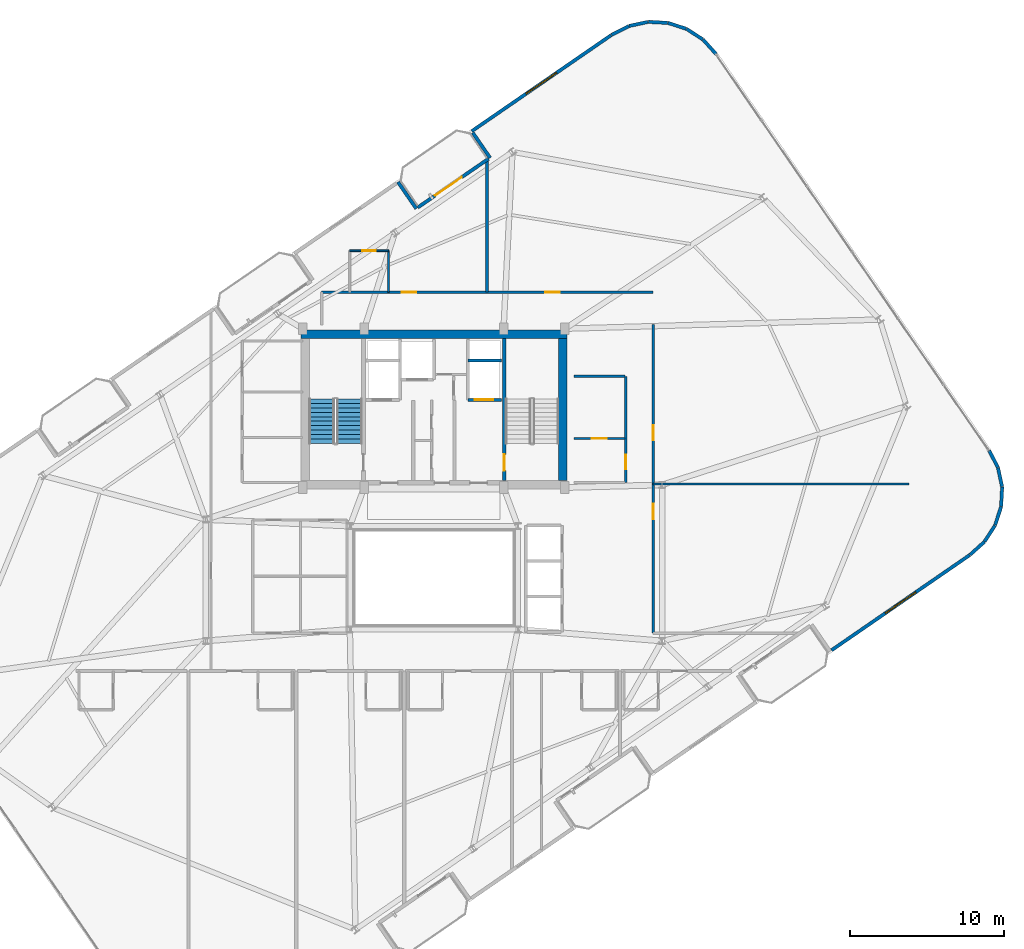
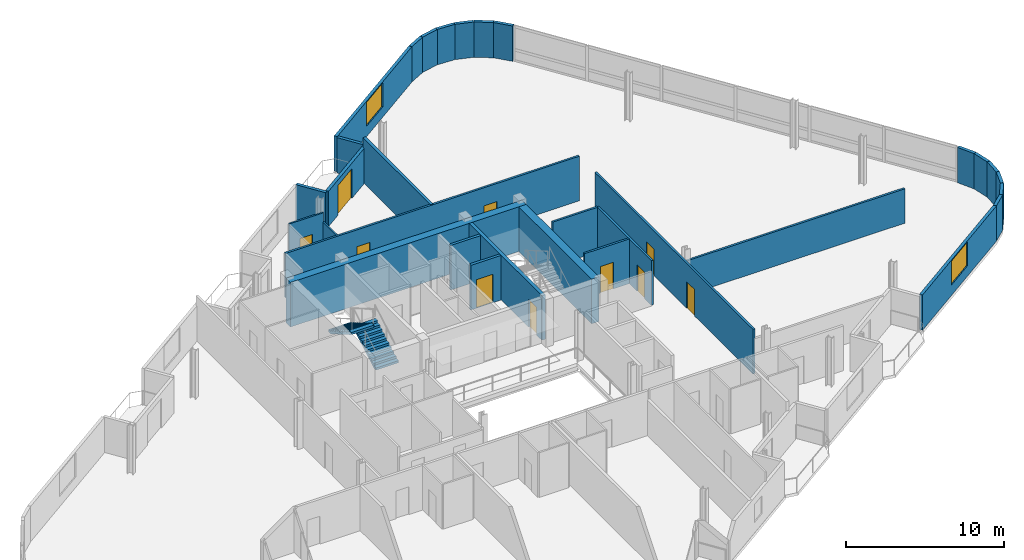
# One storey, part 18 of 22: 31 walls, 10 doors, 2 stair flights, 2 windows, 12 openings, 1 element without a shape of its own.
"""IFC4 building model written with IfcOpenShell, lengths in metres."""

from ifc_helpers import new_model, si_unit, direction, frame, frame_2d, origin, place, context, subcontext, project, spatial, polyline, rectangle, outline, extrude, material, layer, layer_set, type_object, element, fill, aggregate, save


model = new_model("IFC4")

# Units and contexts
model_context = context("Model", 3, precision=1e-05, world=origin(), true_north=direction((0.0, 1.0)))
body_context = subcontext(model_context, "Body", "Model", "MODEL_VIEW")
ifc_project = project(units=[si_unit("LENGTHUNIT", "METRE"), si_unit("AREAUNIT", "SQUARE_METRE"), si_unit("VOLUMEUNIT", "CUBIC_METRE"), si_unit("PLANEANGLEUNIT", "RADIAN"), si_unit("MASSUNIT", "GRAM", prefix="KILO")], contexts=[model_context])

# Site, building, storey
site_placement = place(None, origin())
site = spatial("IfcSite", under=ifc_project, at=site_placement, CompositionType="ELEMENT")
building_placement = place(site_placement, origin())
building = spatial("IfcBuilding", under=site, at=building_placement, Name="Varnelok Gate Tower", CompositionType="ELEMENT")
storey_placement = place(building_placement, frame((0.0, 0.0, 284.10009765625)))
storey = spatial("IfcBuildingStorey", under=building, at=storey_placement, Name="L73", CompositionType="ELEMENT", Elevation=284.10009765625)

# Wall, opening, door
ifc_material_1 = material(Name="Concrete C45/55", Category="concrete")
ifc_layer_1 = layer(ifc_material_1, 0.219970703125)
ifc_layer_set_1 = layer_set([ifc_layer_1], Name="Concrete C45/55")
wall_type_1 = type_object("IfcWallType", Name="EW-BALC-220", PredefinedType="SOLIDWALL", material=ifc_layer_set_1)
wall_1_placement = place(storey_placement, frame((38.15625, 46.91162109375, 0.0), z_axis=(0.0, 0.0, 1.0), x_axis=(0.823527178548, 0.567276816195, 0.0)))
wall_1 = element("IfcWall", 1, at=wall_1_placement, inside=storey, type_object=wall_type_1, Name="L73 North Terrace Envelope Wall 6", PredefinedType="SOLIDWALL", context=body_context, shape_type="SweptSolid", body=[
    extrude(rectangle(XDim=5.56689453125, YDim=0.219970703125, at=frame_2d((2.783447265625, 0.0))), origin(), (0.0, 0.0, 1.0), 2.72998046875),
])
opening_1_placement = place(wall_1_placement, frame((1.360107421875, 0.0, 0.0)))
opening_1 = element("IfcOpeningElement", 2, at=opening_1_placement, cuts=wall_1, Name="Opening BD-2", PredefinedType="OPENING", context=body_context, shape_type="SweptSolid", body=[
    extrude(rectangle(XDim=2.10009765625, YDim=2.300048828125, at=frame_2d((1.050048828125, 1.14990234375))), frame((0.0, 0.119873046875, 0.0), z_axis=(0.0, -1.0, 0.0), x_axis=(1.0, 0.0, 0.0)), (0.0, 0.0, 1.0), 0.239990234375),
])
ifc_material_2 = material(Name="Anodized Aluminum Alloy 6063-T6", Category="aluminium")
door_type_1 = type_object("IfcDoorType", Name="DR-EXT-SLID2100", OperationType="SLIDING_TO_LEFT", PredefinedType="DOOR", material=ifc_material_2)
door_1_placement = place(opening_1_placement, origin())
door_1 = element("IfcDoor", 3, at=door_1_placement, inside=storey, type_object=door_type_1, Name="L73 North Balcony Glazed Door 6", OperationType="SLIDING_TO_LEFT", OverallHeight=2.300048828125, OverallWidth=2.10009765625, PredefinedType="DOOR", context=body_context, shape_type="SweptSolid", body=[
    extrude(rectangle(XDim=2.10009765625, YDim=2.300048828125, at=frame_2d((1.050048828125, 1.14990234375))), frame((0.0, 0.02490234375, 0.0), z_axis=(0.0, -1.0, 0.0), x_axis=(1.0, 0.0, 0.0)), (0.0, 0.0, 1.0), 0.050048828125),
])
fill(opening_1, door_1)

# Wall, opening, window
wall_2_placement = place(storey_placement, frame((64.9921875, 18.197998046875, 0.0), z_axis=(0.0, 0.0, 1.0), x_axis=(0.823538117322, 0.56726093583, 0.0)))
wall_2 = element("IfcWall", 4, at=wall_2_placement, inside=storey, type_object=wall_type_1, Name="L73 Perimeter Facade Closure Wall 16", PredefinedType="SOLIDWALL", context=body_context, shape_type="SweptSolid", body=[
    extrude(rectangle(XDim=10.880126953125, YDim=0.219970703125, at=frame_2d((5.43994140625, 0.0))), origin(), (0.0, 0.0, 1.0), 2.72998046875),
])
opening_2_placement = place(wall_2_placement, frame((4.239990234375, 0.0, 0.800048828125)))
opening_2 = element("IfcOpeningElement", 5, at=opening_2_placement, cuts=wall_2, Name="Opening WN6", PredefinedType="OPENING", context=body_context, shape_type="SweptSolid", body=[
    extrude(rectangle(XDim=2.39990234375, YDim=1.85009765625, at=frame_2d((1.199951171875, 0.925048828125))), frame((0.0, 0.119873046875, 0.0), z_axis=(0.0, -1.0, 0.0), x_axis=(1.0, 0.0, 0.0)), (0.0, 0.0, 1.0), 0.239990234375),
])
ifc_material_3 = material(Name="Low-E Laminated Double Glazing IGU", Category="glass")
window_type = type_object("IfcWindowType", Name="WN-PEN-2400", PartitioningType="SINGLE_PANEL", PredefinedType="WINDOW", material=ifc_material_3)
window_1_placement = place(opening_2_placement, origin())
window_1 = element("IfcWindow", 6, at=window_1_placement, inside=storey, type_object=window_type, Name="L73 Perimeter Vision Window 16", OverallHeight=1.85009765625, OverallWidth=2.39990234375, PartitioningType="SINGLE_PANEL", PredefinedType="WINDOW", context=body_context, shape_type="SweptSolid", body=[
    extrude(rectangle(XDim=2.39990234375, YDim=1.85009765625, at=frame_2d((1.199951171875, 0.925048828125))), frame((0.0, 0.030029296875, 0.0), z_axis=(0.0, -1.0, 0.0), x_axis=(1.0, 0.0, 0.0)), (0.0, 0.0, 1.0), 0.06005859375),
])
fill(opening_2, window_1)

# Walls
wall_3_placement = place(storey_placement, frame((73.970947265625, 24.38671875, 0.0), z_axis=(0.0, 0.0, 1.0), x_axis=(0.742501517089, 0.669844382764, 0.0)))
element("IfcWall", 7, at=wall_3_placement, inside=storey, type_object=wall_type_1, Name="L73 Perimeter Facade Closure Wall 17", PredefinedType="SOLIDWALL", context=body_context, shape_type="SweptSolid", body=[
    extrude(rectangle(XDim=1.256591796875, YDim=0.219970703125, at=frame_2d((0.62841796875, 0.0))), origin(), (0.0, 0.0, 1.0), 2.72998046875),
])
wall_4_placement = place(storey_placement, frame((74.91748046875, 25.24951171875, 0.0), z_axis=(0.0, 0.0, 1.0), x_axis=(0.543778157277, 0.839229000731, 0.0)))
element("IfcWall", 8, at=wall_4_placement, inside=storey, type_object=wall_type_1, Name="L73 Perimeter Facade Closure Wall 18", PredefinedType="SOLIDWALL", context=body_context, shape_type="SweptSolid", body=[
    extrude(rectangle(XDim=1.24853515625, YDim=0.219970703125, at=frame_2d((0.624267578125, 0.0))), origin(), (0.0, 0.0, 1.0), 2.72998046875),
])
for number, where, z_axis, x_axis, name in (
    (9, (75.604248046875, 26.321044921875, 0.0), (0.0, 0.0, 1.0), (0.307945220076, 0.951404089455, 0.0), "L73 Perimeter Facade Closure Wall 19"),
    (10, (75.989990234375, 27.533935546875, 0.0), (0.0, 0.0, 1.0), (0.05141975041, 0.998677129641, 0.0), "L73 Perimeter Facade Closure Wall 20"),
    (11, (76.048828125, 28.805419921875, 0.0), (0.0, 0.0, 1.0), (-0.208808017511, 0.977956651301, 0.0), "L73 Perimeter Facade Closure Wall 21"),
    (12, (75.776611328125, 30.048828125, 0.0), (0.0, 0.0, 1.0), (-0.454938817534, 0.890522696118, 0.0), "L73 Perimeter Facade Closure Wall 22"),
):
    element("IfcWall", number, at=place(storey_placement, frame(where, z_axis=z_axis, x_axis=x_axis)), inside=storey, type_object=wall_type_1, Name=name, PredefinedType="SOLIDWALL", context=body_context, shape_type="SweptSolid", body=[
        extrude(rectangle(XDim=1.248779296875, YDim=0.219970703125, at=frame_2d((0.62451171875, 0.0))), origin(), (0.0, 0.0, 1.0), 2.72998046875),
    ])
wall_5_placement = place(storey_placement, frame((57.509765625, 56.85498046875, 0.0), z_axis=(0.0, 0.0, 1.0), x_axis=(-0.669853727156, 0.742493086982, 0.0)))
element("IfcWall", 13, at=wall_5_placement, inside=storey, type_object=wall_type_1, Name="L73 Perimeter Facade Closure Wall 23", PredefinedType="SOLIDWALL", context=body_context, shape_type="SweptSolid", body=[
    extrude(rectangle(XDim=1.27392578125, YDim=0.219970703125, at=frame_2d((0.636962890625, 0.0))), origin(), (0.0, 0.0, 1.0), 2.72998046875),
])
wall_6_placement = place(storey_placement, frame((56.635498046875, 57.814208984375, 0.0), z_axis=(0.0, 0.0, 1.0), x_axis=(-0.839229000731, 0.543778157277, 0.0)))
element("IfcWall", 14, at=wall_6_placement, inside=storey, type_object=wall_type_1, Name="L73 Perimeter Facade Closure Wall 24", PredefinedType="SOLIDWALL", context=body_context, shape_type="SweptSolid", body=[
    extrude(rectangle(XDim=1.24853515625, YDim=0.219970703125, at=frame_2d((0.624267578125, 0.0))), origin(), (0.0, 0.0, 1.0), 2.72998046875),
])
for number, where, z_axis, x_axis, name in (
    (15, (55.56396484375, 58.5009765625, 0.0), (0.0, 0.0, 1.0), (-0.951404089455, 0.307945220076, 0.0), "L73 Perimeter Facade Closure Wall 25"),
    (16, (54.35107421875, 58.88671875, 0.0), (0.0, 0.0, 1.0), (-0.998687150602, 0.051224752047, 0.0), "L73 Perimeter Facade Closure Wall 26"),
    (17, (53.07958984375, 58.945556640625, 0.0), (0.0, 0.0, 1.0), (-0.977956651301, -0.208808017511, 0.0), "L73 Perimeter Facade Closure Wall 27"),
):
    element("IfcWall", number, at=place(storey_placement, frame(where, z_axis=z_axis, x_axis=x_axis)), inside=storey, type_object=wall_type_1, Name=name, PredefinedType="SOLIDWALL", context=body_context, shape_type="SweptSolid", body=[
        extrude(rectangle(XDim=1.248779296875, YDim=0.219970703125, at=frame_2d((0.62451171875, 0.0))), origin(), (0.0, 0.0, 1.0), 2.72998046875),
    ])
wall_7_placement = place(storey_placement, frame((51.836181640625, 58.67333984375, 0.0), z_axis=(0.0, 0.0, 1.0), x_axis=(-0.890586847538, -0.454813222095, 0.0)))
element("IfcWall", 18, at=wall_7_placement, inside=storey, type_object=wall_type_1, Name="L73 Perimeter Facade Closure Wall 28", PredefinedType="SOLIDWALL", context=body_context, shape_type="SweptSolid", body=[
    extrude(rectangle(XDim=1.256591796875, YDim=0.219970703125, at=frame_2d((0.62841796875, 0.0))), origin(), (0.0, 0.0, 1.0), 2.72998046875),
])

# Wall, opening, window
wall_8_placement = place(storey_placement, frame((50.696533203125, 58.08740234375, 0.0), z_axis=(0.0, 0.0, 1.0), x_axis=(-0.823539455464, -0.567258993137, 0.0)))
wall_8 = element("IfcWall", 19, at=wall_8_placement, inside=storey, type_object=wall_type_1, Name="L73 Perimeter Facade Closure Wall 29", PredefinedType="SOLIDWALL", context=body_context, shape_type="SweptSolid", body=[
    extrude(rectangle(XDim=10.97998046875, YDim=0.219970703125, at=frame_2d((5.489990234375, 0.0))), origin(), (0.0, 0.0, 1.0), 2.72998046875),
])
opening_3_placement = place(wall_8_placement, frame((4.2900390625, 0.0, 0.800048828125)))
opening_3 = element("IfcOpeningElement", 20, at=opening_3_placement, cuts=wall_8, Name="Opening WN6", PredefinedType="OPENING", context=body_context, shape_type="SweptSolid", body=[
    extrude(rectangle(XDim=2.39990234375, YDim=1.85009765625, at=frame_2d((1.199951171875, 0.925048828125))), frame((0.0, 0.119873046875, 0.0), z_axis=(0.0, -1.0, 0.0), x_axis=(1.0, 0.0, 0.0)), (0.0, 0.0, 1.0), 0.239990234375),
])
window_2_placement = place(opening_3_placement, origin())
window_2 = element("IfcWindow", 21, at=window_2_placement, inside=storey, type_object=window_type, Name="L73 Perimeter Vision Window 29", OverallHeight=1.85009765625, OverallWidth=2.39990234375, PartitioningType="SINGLE_PANEL", PredefinedType="WINDOW", context=body_context, shape_type="SweptSolid", body=[
    extrude(rectangle(XDim=2.39990234375, YDim=1.85009765625, at=frame_2d((1.199951171875, 0.925048828125))), frame((0.0, 0.030029296875, 0.0), z_axis=(0.0, -1.0, 0.0), x_axis=(1.0, 0.0, 0.0)), (0.0, 0.0, 1.0), 0.06005859375),
])
fill(opening_3, window_2)

# Walls
wall_9_placement = place(storey_placement, frame((41.724853515625, 51.755859375, 0.0), z_axis=(0.0, 0.0, 1.0), x_axis=(0.567273565974, -0.823529417415, 0.0)))
element("IfcWall", 22, at=wall_9_placement, inside=storey, type_object=wall_type_1, Name="L73 Perimeter Facade Closure Wall 30", PredefinedType="SOLIDWALL", context=body_context, shape_type="SweptSolid", body=[
    extrude(rectangle(XDim=1.97509765625, YDim=0.219970703125, at=frame_2d((0.987548828125, 0.0))), origin(), (0.0, 0.0, 1.0), 2.72998046875),
])
wall_10_placement = place(storey_placement, frame((38.06298828125, 46.835205078125, 0.0), z_axis=(0.0, 0.0, 1.0), x_axis=(-0.567219383419, 0.823566737474, 0.0)))
element("IfcWall", 23, at=wall_10_placement, inside=storey, type_object=wall_type_1, Name="L73 Perimeter Facade Closure Wall 31", PredefinedType="SOLIDWALL", context=body_context, shape_type="SweptSolid", body=[
    extrude(rectangle(XDim=2.10009765625, YDim=0.219970703125, at=frame_2d((1.050048828125, 0.0))), origin(), (0.0, 0.0, 1.0), 2.72998046875),
])
ifc_material_4 = material(Name="Gypsum Plasterboard Acoustic Partition", Category="gypsum")
ifc_layer_2 = layer(ifc_material_4, 0.114990234375)
ifc_layer_set_2 = layer_set([ifc_layer_2], Name="Gypsum Plasterboard Acoustic Partition")
wall_type_2 = type_object("IfcWallType", Name="PW-ENS-125", PredefinedType="PARTITIONING", material=ifc_layer_set_2)
wall_11_placement = place(storey_placement, frame((36.260009765625, 41.419921875, 0.0), z_axis=(0.0, 0.0, 1.0), x_axis=(0.0, 1.0, 0.0)))
element("IfcWall", 24, at=wall_11_placement, inside=storey, type_object=wall_type_2, Name="Interior Partition", PredefinedType="PARTITIONING", context=body_context, shape_type="SweptSolid", body=[
    extrude(rectangle(XDim=2.68017578125, YDim=0.114990234375, at=frame_2d((1.340087890625, 0.0))), origin(), (0.0, 0.0, 1.0), 2.739013671875),
])

# Wall, opening, door
wall_12_placement = place(storey_placement, frame((33.739990234375, 44.10009765625, 0.0), z_axis=(0.0, 0.0, 1.0), x_axis=(1.0, 0.0, 0.0)))
wall_12 = element("IfcWall", 25, at=wall_12_placement, inside=storey, type_object=wall_type_2, Name="Interior Partition", PredefinedType="PARTITIONING", context=body_context, shape_type="SweptSolid", body=[
    extrude(rectangle(XDim=2.52001953125, YDim=0.114990234375, at=frame_2d((1.260009765625, 0.0))), origin(), (0.0, 0.0, 1.0), 3.449951171875),
])
opening_4_placement = place(wall_12_placement, frame((0.800048828125, 0.0, 0.0)))
opening_4 = element("IfcOpeningElement", 26, at=opening_4_placement, cuts=wall_12, Name="Opening D-WC", PredefinedType="OPENING", context=body_context, shape_type="SweptSolid", body=[
    extrude(rectangle(XDim=0.89990234375, YDim=2.050048828125, at=frame_2d((0.449951171875, 1.02490234375))), frame((0.0, 0.0673828125, 0.0), z_axis=(0.0, -1.0, 0.0), x_axis=(1.0, 0.0, 0.0)), (0.0, 0.0, 1.0), 0.135009765625),
])
ifc_material_5 = material(Name="Engineered Hardwood Timber", Category="wood")
door_type_2 = type_object("IfcDoorType", Name="DR-BATH-900", OperationType="NOTDEFINED", PredefinedType="DOOR", material=ifc_material_5)
door_2_placement = place(opening_4_placement, origin())
door_2 = element("IfcDoor", 27, at=door_2_placement, inside=storey, type_object=door_type_2, Name="L73 VIP Suite En-Suite Door", OperationType="SINGLE_SWING_LEFT", OverallHeight=2.050048828125, OverallWidth=0.89990234375, PredefinedType="DOOR", context=body_context, shape_type="SweptSolid", body=[
    extrude(rectangle(XDim=0.89990234375, YDim=2.050048828125, at=frame_2d((0.449951171875, 1.02490234375))), frame((0.0, 0.02490234375, 0.0), z_axis=(0.0, -1.0, 0.0), x_axis=(1.0, 0.0, 0.0)), (0.0, 0.0, 1.0), 0.050048828125),
])
fill(opening_4, door_2)

# Wall, openings, doors
ifc_layer_3 = layer(ifc_material_4, 0.14990234375)
ifc_layer_set_3 = layer_set([ifc_layer_3], Name="Gypsum Plasterboard Acoustic Partition")
wall_type_3 = type_object("IfcWallType", Name="PW-PART-150", PredefinedType="PARTITIONING", material=ifc_layer_set_3)
wall_13_placement = place(storey_placement, frame((53.419921875, 19.300048828125, 0.0), z_axis=(0.0, 0.0, 1.0), x_axis=(0.0, 1.0, 0.0)))
wall_13 = element("IfcWall", 28, at=wall_13_placement, inside=storey, type_object=wall_type_3, Name="Interior Partition", PredefinedType="PARTITIONING", context=body_context, shape_type="SweptSolid", body=[
    extrude(rectangle(XDim=20.02001953125, YDim=0.14990234375, at=frame_2d((10.010009765625, 0.0))), origin(), (0.0, 0.0, 1.0), 3.449951171875),
])
opening_5_placement = place(wall_13_placement, frame((7.39990234375, 0.0, 0.0)))
opening_5 = element("IfcOpeningElement", 29, at=opening_5_placement, cuts=wall_13, Name="Opening D-I1", PredefinedType="OPENING", context=body_context, shape_type="SweptSolid", body=[
    extrude(rectangle(XDim=1.0, YDim=2.050048828125, at=frame_2d((0.5, 1.02490234375))), frame((0.0, 0.0849609375, 0.0), z_axis=(0.0, -1.0, 0.0), x_axis=(1.0, 0.0, 0.0)), (0.0, 0.0, 1.0), 0.169921875),
])
opening_6_placement = place(wall_13_placement, frame((12.5, 0.0, 0.0)))
opening_6 = element("IfcOpeningElement", 30, at=opening_6_placement, cuts=wall_13, Name="Opening D-I1", PredefinedType="OPENING", context=body_context, shape_type="SweptSolid", body=[
    extrude(rectangle(XDim=1.0, YDim=2.050048828125, at=frame_2d((0.5, 1.02490234375))), frame((0.0, 0.0849609375, 0.0), z_axis=(0.0, -1.0, 0.0), x_axis=(1.0, 0.0, 0.0)), (0.0, 0.0, 1.0), 0.169921875),
])
door_type_3 = type_object("IfcDoorType", Name="DR-INT-1000", OperationType="NOTDEFINED", PredefinedType="DOOR", material=ifc_material_5)
door_3_placement = place(opening_5_placement, origin())
door_3 = element("IfcDoor", 31, at=door_3_placement, inside=storey, type_object=door_type_3, Name="L73 Sky Library Door", OperationType="SINGLE_SWING_RIGHT", OverallHeight=2.050048828125, OverallWidth=1.0, PredefinedType="DOOR", context=body_context, shape_type="SweptSolid", body=[
    extrude(rectangle(XDim=1.0, YDim=2.050048828125, at=frame_2d((0.5, 1.02490234375))), frame((0.0, 0.02490234375, 0.0), z_axis=(0.0, -1.0, 0.0), x_axis=(1.0, 0.0, 0.0)), (0.0, 0.0, 1.0), 0.050048828125),
])
fill(opening_5, door_3)
door_4_placement = place(opening_6_placement, origin())
door_4 = element("IfcDoor", 32, at=door_4_placement, inside=storey, type_object=door_type_3, Name="L73 Fitness Studio Door", OperationType="SINGLE_SWING_LEFT", OverallHeight=2.050048828125, OverallWidth=1.0, PredefinedType="DOOR", context=body_context, shape_type="SweptSolid", body=[
    extrude(rectangle(XDim=1.0, YDim=2.050048828125, at=frame_2d((0.5, 1.02490234375))), frame((0.0, 0.02490234375, 0.0), z_axis=(0.0, -1.0, 0.0), x_axis=(1.0, 0.0, 0.0)), (0.0, 0.0, 1.0), 0.050048828125),
])
fill(opening_6, door_4)

# Wall
wall_14_placement = place(storey_placement, frame((53.419921875, 28.97998046875, 0.0), z_axis=(0.0, 0.0, 1.0), x_axis=(1.0, 0.0, 0.0)))
element("IfcWall", 33, at=wall_14_placement, inside=storey, type_object=wall_type_3, Name="Interior Partition", PredefinedType="PARTITIONING", context=body_context, shape_type="SweptSolid", body=[
    extrude(rectangle(XDim=16.580078125, YDim=0.14990234375, at=frame_2d((8.2900390625, 0.0))), origin(), (0.0, 0.0, 1.0), 2.661865234375),
])

# Wall, openings, doors
wall_15_placement = place(storey_placement, frame((31.919921875, 41.419921875, 0.0), z_axis=(0.0, 0.0, 1.0), x_axis=(1.0, 0.0, 0.0)))
wall_15 = element("IfcWall", 34, at=wall_15_placement, inside=storey, type_object=wall_type_3, Name="Interior Partition", PredefinedType="PARTITIONING", context=body_context, shape_type="SweptSolid", body=[
    extrude(rectangle(XDim=21.47998046875, YDim=0.14990234375, at=frame_2d((10.739990234375, 0.0))), origin(), (0.0, 0.0, 1.0), 3.449951171875),
])
opening_7_placement = place(wall_15_placement, frame((5.199951171875, 0.0, 0.0)))
opening_7 = element("IfcOpeningElement", 35, at=opening_7_placement, cuts=wall_15, Name="Opening D-HT", PredefinedType="OPENING", context=body_context, shape_type="SweptSolid", body=[
    extrude(rectangle(XDim=0.949951171875, YDim=2.14990234375, at=frame_2d((0.47509765625, 1.074951171875))), frame((0.0, 0.0849609375, 0.0), z_axis=(0.0, -1.0, 0.0), x_axis=(1.0, 0.0, 0.0)), (0.0, 0.0, 1.0), 0.169921875),
])
opening_8_placement = place(wall_15_placement, frame((14.5, 0.0, 0.0)))
opening_8 = element("IfcOpeningElement", 36, at=opening_8_placement, cuts=wall_15, Name="Opening D-I2", PredefinedType="OPENING", context=body_context, shape_type="SweptSolid", body=[
    extrude(rectangle(XDim=0.949951171875, YDim=2.050048828125, at=frame_2d((0.47509765625, 1.02490234375))), frame((0.0, 0.0849609375, 0.0), z_axis=(0.0, -1.0, 0.0), x_axis=(1.0, 0.0, 0.0)), (0.0, 0.0, 1.0), 0.169921875),
])
door_type_4 = type_object("IfcDoorType", Name="DR-HTL-950", OperationType="NOTDEFINED", PredefinedType="DOOR", material=ifc_material_5)
door_5_placement = place(opening_7_placement, origin())
door_5 = element("IfcDoor", 37, at=door_5_placement, inside=storey, type_object=door_type_4, Name="L73 VIP Suite Entrance Door", OperationType="SINGLE_SWING_LEFT", OverallHeight=2.14990234375, OverallWidth=0.949951171875, PredefinedType="DOOR", context=body_context, shape_type="SweptSolid", body=[
    extrude(rectangle(XDim=0.949951171875, YDim=2.14990234375, at=frame_2d((0.47509765625, 1.074951171875))), frame((0.0, 0.02490234375, 0.0), z_axis=(0.0, -1.0, 0.0), x_axis=(1.0, 0.0, 0.0)), (0.0, 0.0, 1.0), 0.050048828125),
])
fill(opening_7, door_5)
door_type_5 = type_object("IfcDoorType", Name="DR-INT-950", OperationType="NOTDEFINED", PredefinedType="DOOR", material=ifc_material_5)
door_6_placement = place(opening_8_placement, origin())
door_6 = element("IfcDoor", 38, at=door_6_placement, inside=storey, type_object=door_type_5, Name="L73 Tasting Cellar Door", OperationType="SINGLE_SWING_RIGHT", OverallHeight=2.050048828125, OverallWidth=0.949951171875, PredefinedType="DOOR", context=body_context, shape_type="SweptSolid", body=[
    extrude(rectangle(XDim=0.949951171875, YDim=2.050048828125, at=frame_2d((0.47509765625, 1.02490234375))), frame((0.0, 0.02490234375, 0.0), z_axis=(0.0, -1.0, 0.0), x_axis=(1.0, 0.0, 0.0)), (0.0, 0.0, 1.0), 0.050048828125),
])
fill(opening_8, door_6)

# Wall, opening, door
wall_16_placement = place(storey_placement, frame((48.300048828125, 31.929931640625, 0.0), z_axis=(0.0, 0.0, 1.0), x_axis=(1.0, 0.0, 0.0)))
wall_16 = element("IfcWall", 39, at=wall_16_placement, inside=storey, type_object=wall_type_3, Name="Interior Partition", PredefinedType="PARTITIONING", context=body_context, shape_type="SweptSolid", body=[
    extrude(rectangle(XDim=3.280029296875, YDim=0.14990234375, at=frame_2d((1.64013671875, 0.0))), origin(), (0.0, 0.0, 1.0), 3.449951171875),
])
opening_9_placement = place(wall_16_placement, frame((1.14990234375, 0.0, 0.0)))
opening_9 = element("IfcOpeningElement", 40, at=opening_9_placement, cuts=wall_16, Name="Opening D-I2", PredefinedType="OPENING", context=body_context, shape_type="SweptSolid", body=[
    extrude(rectangle(XDim=0.949951171875, YDim=2.050048828125, at=frame_2d((0.47509765625, 1.02490234375))), frame((0.0, 0.0849609375, 0.0), z_axis=(0.0, -1.0, 0.0), x_axis=(1.0, 0.0, 0.0)), (0.0, 0.0, 1.0), 0.169921875),
])
door_7_placement = place(opening_9_placement, origin())
door_7 = element("IfcDoor", 41, at=door_7_placement, inside=storey, type_object=door_type_5, Name="L73 Reclaimed Trunk Storage Door", OperationType="SINGLE_SWING_LEFT", OverallHeight=2.050048828125, OverallWidth=0.949951171875, PredefinedType="DOOR", context=body_context, shape_type="SweptSolid", body=[
    extrude(rectangle(XDim=0.949951171875, YDim=2.050048828125, at=frame_2d((0.47509765625, 1.02490234375))), frame((0.0, 0.02490234375, 0.0), z_axis=(0.0, -1.0, 0.0), x_axis=(1.0, 0.0, 0.0)), (0.0, 0.0, 1.0), 0.050048828125),
])
fill(opening_9, door_7)

# Wall
wall_17_placement = place(storey_placement, frame((48.300048828125, 35.9599609375, 0.0), z_axis=(0.0, 0.0, 1.0), x_axis=(1.0, 0.0, 0.0)))
element("IfcWall", 42, at=wall_17_placement, inside=storey, type_object=wall_type_3, Name="Interior Partition", PredefinedType="PARTITIONING", context=body_context, shape_type="SweptSolid", body=[
    extrude(rectangle(XDim=3.280029296875, YDim=0.14990234375, at=frame_2d((1.64013671875, 0.0))), origin(), (0.0, 0.0, 1.0), 3.449951171875),
])

# Wall, opening, door
wall_18_placement = place(storey_placement, frame((51.639892578125, 29.080078125, 0.0), z_axis=(0.0, 0.0, 1.0), x_axis=(0.0, 1.0, 0.0)))
wall_18 = element("IfcWall", 43, at=wall_18_placement, inside=storey, type_object=wall_type_3, Name="Interior Partition", PredefinedType="PARTITIONING", context=body_context, shape_type="SweptSolid", body=[
    extrude(rectangle(XDim=6.8798828125, YDim=0.14990234375, at=frame_2d((3.43994140625, 0.0))), origin(), (0.0, 0.0, 1.0), 3.449951171875),
])
opening_10_placement = place(wall_18_placement, frame((0.85009765625, 0.0, 0.0)))
opening_10 = element("IfcOpeningElement", 44, at=opening_10_placement, cuts=wall_18, Name="Opening D-I2", PredefinedType="OPENING", context=body_context, shape_type="SweptSolid", body=[
    extrude(rectangle(XDim=0.949951171875, YDim=2.050048828125, at=frame_2d((0.47509765625, 1.02490234375))), frame((0.0, 0.0849609375, 0.0), z_axis=(0.0, -1.0, 0.0), x_axis=(1.0, 0.0, 0.0)), (0.0, 0.0, 1.0), 0.169921875),
])
door_8_placement = place(opening_10_placement, origin())
door_8 = element("IfcDoor", 45, at=door_8_placement, inside=storey, type_object=door_type_5, Name="L73 Reclaimed Wine Storage Door", OperationType="SINGLE_SWING_RIGHT", OverallHeight=2.050048828125, OverallWidth=0.949951171875, PredefinedType="DOOR", context=body_context, shape_type="SweptSolid", body=[
    extrude(rectangle(XDim=0.949951171875, YDim=2.050048828125, at=frame_2d((0.47509765625, 1.02490234375))), frame((0.0, 0.02490234375, 0.0), z_axis=(0.0, -1.0, 0.0), x_axis=(1.0, 0.0, 0.0)), (0.0, 0.0, 1.0), 0.050048828125),
])
fill(opening_10, door_8)

# Wall
ifc_layer_4 = layer(ifc_material_4, 0.205078125)
ifc_layer_set_4 = layer_set([ifc_layer_4], Name="Gypsum Plasterboard Acoustic Partition")
wall_type_4 = type_object("IfcWallType", Name="PW-PARTY-200", PredefinedType="PARTITIONING", material=ifc_layer_set_4)
wall_19_placement = place(storey_placement, frame((42.64990234375, 41.419921875, 0.0), z_axis=(0.0, 0.0, 1.0), x_axis=(0.0, 1.0, 0.0)))
element("IfcWall", 46, at=wall_19_placement, inside=storey, type_object=wall_type_4, Name="Interior Partition", PredefinedType="PARTITIONING", context=body_context, shape_type="SweptSolid", body=[
    extrude(rectangle(XDim=8.55078125, YDim=0.205078125, at=frame_2d((4.275390625, 0.0))), origin(), (0.0, 0.0, 1.0), 3.449951171875),
])

# Wall, opening, door
ifc_material_6 = material(Name="Concrete C35/45", Category="concrete")
ifc_layer_5 = layer(ifc_material_6, 0.199951171875)
ifc_layer_set_5 = layer_set([ifc_layer_5], Name="Concrete C35/45")
wall_type_5 = type_object("IfcWallType", Name="PW-SHAFT-200", PredefinedType="PARTITIONING", material=ifc_layer_set_5)
wall_20_placement = place(storey_placement, frame((41.419921875, 34.43994140625, 0.0), z_axis=(0.0, 0.0, 1.0), x_axis=(1.0, 0.0, 0.0)))
wall_20 = element("IfcWall", 47, at=wall_20_placement, inside=storey, type_object=wall_type_5, Name="L73 FF2 Shaft Front Wall", PredefinedType="PARTITIONING", context=body_context, shape_type="SweptSolid", body=[
    extrude(rectangle(XDim=2.18017578125, YDim=0.199951171875, at=frame_2d((1.090087890625, 0.0))), origin(), (0.0, 0.0, 1.0), 3.449951171875),
])
opening_11_placement = place(wall_20_placement, frame((0.419921875, 0.0, 0.0)))
opening_11 = element("IfcOpeningElement", 48, at=opening_11_placement, cuts=wall_20, Name="Opening LD-FF2", PredefinedType="OPENING", context=body_context, shape_type="SweptSolid", body=[
    extrude(rectangle(XDim=1.199951171875, YDim=2.199951171875, at=frame_2d((0.60009765625, 1.10009765625))), frame((0.0, 0.10986328125, 0.0), z_axis=(0.0, -1.0, 0.0), x_axis=(1.0, 0.0, 0.0)), (0.0, 0.0, 1.0), 0.219970703125),
])
ifc_material_7 = material(Name="Galvanized Steel Grade S350GD", Category="steel")
door_type_6 = type_object("IfcDoorType", Name="DR-LIFT-FF1200", OperationType="SLIDING_TO_LEFT", PredefinedType="DOOR", material=ifc_material_7)
door_9_placement = place(opening_11_placement, origin())
door_9 = element("IfcDoor", 49, at=door_9_placement, inside=storey, type_object=door_type_6, Name="L73 Firefighting Lift Landing Door LD-FF2", OperationType="SLIDING_TO_LEFT", OverallHeight=2.199951171875, OverallWidth=1.199951171875, PredefinedType="DOOR", context=body_context, shape_type="SweptSolid", body=[
    extrude(rectangle(XDim=1.199951171875, YDim=2.199951171875, at=frame_2d((0.60009765625, 1.10009765625))), frame((0.0, 0.02490234375, 0.0), z_axis=(0.0, -1.0, 0.0), x_axis=(1.0, 0.0, 0.0)), (0.0, 0.0, 1.0), 0.050048828125),
])
fill(opening_11, door_9)

# Walls
wall_21_placement = place(storey_placement, frame((41.419921875, 36.97998046875, 0.0), z_axis=(0.0, 0.0, 1.0), x_axis=(1.0, 0.0, 0.0)))
element("IfcWall", 50, at=wall_21_placement, inside=storey, type_object=wall_type_5, Name="L73 FF2 Shaft North Wall", PredefinedType="PARTITIONING", context=body_context, shape_type="SweptSolid", body=[
    extrude(rectangle(XDim=2.18017578125, YDim=0.199951171875, at=frame_2d((1.090087890625, 0.0))), origin(), (0.0, 0.0, 1.0), 3.449951171875),
])
ifc_material_8 = material(Name="Concrete C60/75", Category="concrete")
ifc_layer_6 = layer(ifc_material_8, 0.550048828125)
ifc_layer_set_6 = layer_set([ifc_layer_6], Name="Concrete C60/75")
wall_type_6 = type_object("IfcWallType", Name="SW-CORE-550", PredefinedType="SHEAR", material=ifc_layer_set_6)
wall_22_placement = place(storey_placement, frame((30.580078125, 38.695068359375, 0.0), z_axis=(0.0, 0.0, 1.0), x_axis=(1.0, 0.0, 0.0)))
element("IfcWall", 51, at=wall_22_placement, inside=storey, type_object=wall_type_6, Name="L73 Rear Core North Shear Wall", PredefinedType="SHEAR", context=body_context, shape_type="SweptSolid", body=[
    extrude(rectangle(XDim=17.239990234375, YDim=0.550048828125, at=frame_2d((8.6201171875, 0.0))), origin(), (0.0, 0.0, 1.0), 3.449951171875),
])
wall_23_placement = place(storey_placement, frame((47.544921875, 29.199951171875, 0.0), z_axis=(0.0, 0.0, 1.0), x_axis=(0.0, 1.0, 0.0)))
element("IfcWall", 52, at=wall_23_placement, inside=storey, type_object=wall_type_6, Name="L73 Rear Core East Shear Wall", PredefinedType="SHEAR", context=body_context, shape_type="SweptSolid", body=[
    extrude(rectangle(XDim=9.219970703125, YDim=0.550048828125, at=frame_2d((4.60986328125, 0.0))), origin(), (0.0, 0.0, 1.0), 3.449951171875),
])

# Wall, opening, door
ifc_layer_7 = layer(ifc_material_8, 0.25)
ifc_layer_set_7 = layer_set([ifc_layer_7], Name="Concrete C60/75")
wall_type_7 = type_object("IfcWallType", Name="SW-SHAFT-250", PredefinedType="SHEAR", material=ifc_layer_set_7)
wall_24_placement = place(storey_placement, frame((43.760009765625, 29.199951171875, 0.0), z_axis=(0.0, 0.0, 1.0), x_axis=(0.0, 1.0, 0.0)))
wall_24 = element("IfcWall", 53, at=wall_24_placement, inside=storey, type_object=wall_type_7, Name="L73 Stair ST-2 West Shear Wall", PredefinedType="SHEAR", context=body_context, shape_type="SweptSolid", body=[
    extrude(rectangle(XDim=9.219970703125, YDim=0.25, at=frame_2d((4.60986328125, 0.0))), origin(), (0.0, 0.0, 1.0), 3.449951171875),
])
opening_12_placement = place(wall_24_placement, frame((0.64990234375, 0.0, 0.0)))
opening_12 = element("IfcOpeningElement", 54, at=opening_12_placement, cuts=wall_24, Name="Opening D-ST", PredefinedType="OPENING", context=body_context, shape_type="SweptSolid", body=[
    extrude(rectangle(XDim=1.050048828125, YDim=2.14990234375, at=frame_2d((0.52490234375, 1.074951171875))), frame((0.0, 0.135009765625, 0.0), z_axis=(0.0, -1.0, 0.0), x_axis=(1.0, 0.0, 0.0)), (0.0, 0.0, 1.0), 0.27001953125),
])
door_type_7 = type_object("IfcDoorType", Name="DR-STAIR-1050", OperationType="NOTDEFINED", PredefinedType="DOOR", material=ifc_material_7)
door_10_placement = place(opening_12_placement, origin())
door_10 = element("IfcDoor", 55, at=door_10_placement, inside=storey, type_object=door_type_7, Name="L73 Exit Stair ST-2 Fire Door", OperationType="SINGLE_SWING_RIGHT", OverallHeight=2.14990234375, OverallWidth=1.050048828125, PredefinedType="DOOR", context=body_context, shape_type="SweptSolid", body=[
    extrude(rectangle(XDim=1.050048828125, YDim=2.14990234375, at=frame_2d((0.52490234375, 1.074951171875))), frame((0.0, 0.02490234375, 0.0), z_axis=(0.0, -1.0, 0.0), x_axis=(1.0, 0.0, 0.0)), (0.0, 0.0, 1.0), 0.050048828125),
])
fill(opening_12, door_10)

# Stair, stair flights
ifc_material_9 = material(Name="Concrete C50/60", Category="concrete")
stair_type = type_object("IfcStairType", Name="STR-CORE-1650", PredefinedType="HALF_TURN_STAIR", material=ifc_material_9)
stair_placement = place(storey_placement, origin())
stair = element("IfcStair", 56, at=stair_placement, inside=storey, type_object=stair_type, Name="L73 Exit Stair ST-1", PredefinedType="HALF_TURN_STAIR")
stair_flight_type = type_object("IfcStairFlightType", Name="SFL-CORE-1650", PredefinedType="STRAIGHT", material=ifc_material_9)
stair_flight_1_placement = place(storey_placement, frame((33.72509765625, 31.60009765625, 0.0), z_axis=(0.0, 0.0, 1.0), x_axis=(0.0, 1.0, 0.0)))
stair_flight_1 = element("IfcStairFlight", 57, at=stair_flight_1_placement, type_object=stair_flight_type, Name="ST-1 flight 1", NumberOfRisers=11, NumberOfTreads=10, PredefinedType="STRAIGHT", RiserHeight=0.168181818, TreadLength=0.29, context=body_context, shape_type="SweptSolid", body=[
    extrude(outline(polyline([(0.0, 0.0), (0.0, 0.168212890625), (0.2900390625, 0.168212890625), (0.2900390625, 0.33642578125), (0.580078125, 0.33642578125), (0.580078125, 0.504638671875), (0.8701171875, 0.504638671875), (0.8701171875, 0.672607421875), (1.159912109375, 0.672607421875), (1.159912109375, 0.8408203125), (1.449951171875, 0.8408203125), (1.449951171875, 1.009033203125), (1.739990234375, 1.009033203125), (1.739990234375, 1.17724609375), (2.030029296875, 1.17724609375), (2.030029296875, 1.345458984375), (2.320068359375, 1.345458984375), (2.320068359375, 1.513671875), (2.610107421875, 1.513671875), (2.610107421875, 1.681884765625), (2.89990234375, 1.681884765625), (2.89990234375, 1.85009765625), (2.89990234375, 1.508544921875), (0.298828125, 0.0), (0.0, 0.0)])), frame((0.0, 0.824951171875, 0.0), z_axis=(0.0, -1.0, 0.0), x_axis=(1.0, 0.0, 0.0)), (0.0, 0.0, 1.0), 1.64990234375),
])
stair_flight_2_placement = place(storey_placement, frame((31.925048828125, 34.5, 1.849853515625), z_axis=(0.0, 0.0, 1.0), x_axis=(0.0, -1.0, 0.0)))
stair_flight_2 = element("IfcStairFlight", 58, at=stair_flight_2_placement, type_object=stair_flight_type, Name="ST-1 flight 2", NumberOfRisers=11, NumberOfTreads=10, PredefinedType="STRAIGHT", RiserHeight=0.168181818, TreadLength=0.29, context=body_context, shape_type="SweptSolid", body=[
    extrude(outline(polyline([(0.0, 0.0), (0.0, 0.168212890625), (0.2900390625, 0.168212890625), (0.2900390625, 0.33642578125), (0.580078125, 0.33642578125), (0.580078125, 0.504638671875), (0.8701171875, 0.504638671875), (0.8701171875, 0.672607421875), (1.159912109375, 0.672607421875), (1.159912109375, 0.8408203125), (1.449951171875, 0.8408203125), (1.449951171875, 1.009033203125), (1.739990234375, 1.009033203125), (1.739990234375, 1.17724609375), (2.030029296875, 1.17724609375), (2.030029296875, 1.345458984375), (2.320068359375, 1.345458984375), (2.320068359375, 1.513671875), (2.610107421875, 1.513671875), (2.610107421875, 1.681884765625), (2.89990234375, 1.681884765625), (2.89990234375, 1.85009765625), (2.89990234375, 1.508544921875), (0.298828125, 0.0), (0.0, 0.0)])), frame((0.0, 0.824951171875, 0.0), z_axis=(0.0, -1.0, 0.0), x_axis=(1.0, 0.0, 0.0)), (0.0, 0.0, 1.0), 1.64990234375),
])
aggregate(stair, [stair_flight_1, stair_flight_2])

save(model, "model.ifc")
